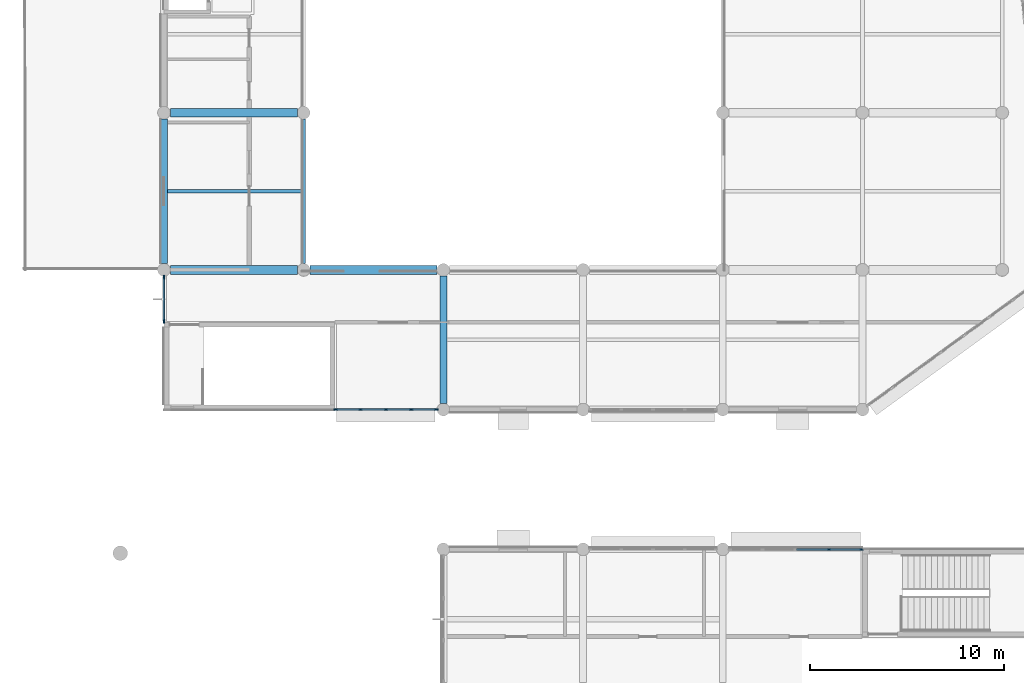
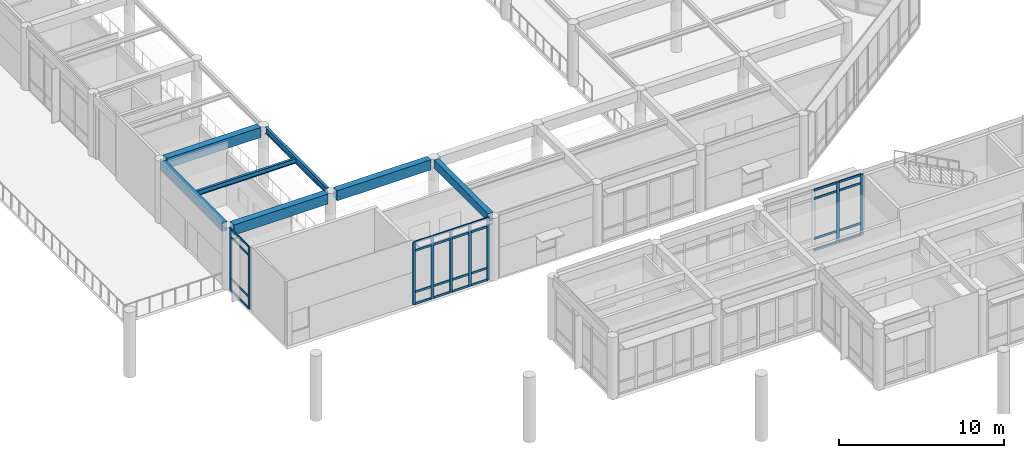
# One storey, part 6 of 92: 37 members, 7 beams, 3 elements without a shape of their own.
"""IFC4 building model written with IfcOpenShell, lengths in metres."""

from ifc_helpers import new_model, si_unit, direction, frame, origin, origin_2d, place, context, subcontext, project, spatial, rectangle, i_section, extrude, material, layer, layer_set, material_profile, profile_set, type_object, element, aggregate, save


model = new_model("IFC4")

# Units and contexts
model_context = context("Model", 3, precision=1e-05, world=origin(), true_north=direction((0.0, 1.0)))
body_context = subcontext(model_context, "Body", "Model", "MODEL_VIEW")
ifc_project = project(units=[si_unit("LENGTHUNIT", "METRE"), si_unit("AREAUNIT", "SQUARE_METRE"), si_unit("VOLUMEUNIT", "CUBIC_METRE"), si_unit("PLANEANGLEUNIT", "RADIAN"), si_unit("MASSUNIT", "GRAM", prefix="KILO")], contexts=[model_context])

# Site, building, storey
site_placement = place(None, origin())
site = spatial("IfcSite", under=ifc_project, at=site_placement, CompositionType="ELEMENT")
building_placement = place(site_placement, origin())
building = spatial("IfcBuilding", under=site, at=building_placement, Name="Namkhue Oval Health Centre", CompositionType="ELEMENT")
storey_placement = place(building_placement, frame((0.0, 0.0, 4.800048828125)))
storey = spatial("IfcBuildingStorey", under=building, at=storey_placement, Name="L01", CompositionType="ELEMENT", Elevation=4.800048828125)

# Curtain wall, members
ifc_material_1 = material(Name="Anodised aluminium EN AW-6063 T6", Category="aluminium")
ifc_layer_1 = layer(ifc_material_1, 0.159912109375)
ifc_layer_set_1 = layer_set([ifc_layer_1], Name="Anodised aluminium EN AW-6063 T6")
curtain_wall_type_1 = type_object("IfcCurtainWallType", Name="UNITISED CURTAIN WALL M1350", PredefinedType="NOTDEFINED", material=ifc_layer_set_1)
curtain_wall_1_placement = place(storey_placement, origin())
curtain_wall_1 = element("IfcCurtainWall", 1, at=curtain_wall_1_placement, inside=storey, type_object=curtain_wall_type_1, Name="Volume V1 L01 Unitised Curtain Wall 20", PredefinedType="NOTDEFINED")
ifc_material_profile_1 = material_profile(ifc_material_1, rectangle(XDim=0.074951171875, YDim=0.199951171875, at=origin_2d()), Name="ALU 75x200")
ifc_profile_set_1 = profile_set([ifc_material_profile_1], Name="Anodised aluminium EN AW-6063 T6")
member_type_1 = type_object("IfcMemberType", Name="CURTAIN WALL MULLION 75X200", PredefinedType="MULLION", material=ifc_profile_set_1)
member_1_placement = place(storey_placement, frame((30.45458984375, 36.0, 0.0), z_axis=(0.0, 0.0, 1.0), x_axis=(0.0, 1.0, 0.0)))
member_1 = element("IfcMember", 2, at=member_1_placement, type_object=member_type_1, Name="CW-02 mullion 1", PredefinedType="MULLION", context=body_context, shape_type="SweptSolid", body=[
    extrude(rectangle(XDim=0.074951171875, YDim=0.199951171875, at=origin_2d()), origin(), (0.0, 0.0, 1.0), 4.599853515625),
])
member_2_placement = place(storey_placement, frame((31.72900390625, 36.0, 0.0), z_axis=(0.0, 0.0, 1.0), x_axis=(0.0, 1.0, 0.0)))
member_2 = element("IfcMember", 3, at=member_2_placement, type_object=member_type_1, Name="CW-02 mullion 2", PredefinedType="MULLION", context=body_context, shape_type="SweptSolid", body=[
    extrude(rectangle(XDim=0.074951171875, YDim=0.199951171875, at=origin_2d()), origin(), (0.0, 0.0, 1.0), 4.599853515625),
])
member_3_placement = place(storey_placement, frame((33.041015625, 36.0, 0.0), z_axis=(0.0, 0.0, 1.0), x_axis=(0.0, 1.0, 0.0)))
member_3 = element("IfcMember", 4, at=member_3_placement, type_object=member_type_1, Name="CW-02 mullion 3", PredefinedType="MULLION", context=body_context, shape_type="SweptSolid", body=[
    extrude(rectangle(XDim=0.074951171875, YDim=0.199951171875, at=origin_2d()), origin(), (0.0, 0.0, 1.0), 4.599853515625),
])
member_4_placement = place(storey_placement, frame((34.35302734375, 36.0, 0.0), z_axis=(0.0, 0.0, 1.0), x_axis=(0.0, 1.0, 0.0)))
member_4 = element("IfcMember", 5, at=member_4_placement, type_object=member_type_1, Name="CW-02 mullion 4", PredefinedType="MULLION", context=body_context, shape_type="SweptSolid", body=[
    extrude(rectangle(XDim=0.074951171875, YDim=0.199951171875, at=origin_2d()), origin(), (0.0, 0.0, 1.0), 4.599853515625),
])
member_5_placement = place(storey_placement, frame((35.62744140625, 36.0, 0.0), z_axis=(0.0, 0.0, 1.0), x_axis=(0.0, 1.0, 0.0)))
member_5 = element("IfcMember", 6, at=member_5_placement, type_object=member_type_1, Name="CW-02 mullion 5", PredefinedType="MULLION", context=body_context, shape_type="SweptSolid", body=[
    extrude(rectangle(XDim=0.074951171875, YDim=0.199951171875, at=origin_2d()), origin(), (0.0, 0.0, 1.0), 4.599853515625),
])

ifc_layer_2 = layer(ifc_material_1, 0.159912109375)
ifc_layer_set_2 = layer_set([ifc_layer_2], Name="Anodised aluminium EN AW-6063 T6")
curtain_wall_type_2 = type_object("IfcCurtainWallType", Name="UNITISED CURTAIN WALL M2000", PredefinedType="NOTDEFINED", material=ifc_layer_set_2)
curtain_wall_2_placement = place(storey_placement, origin())
curtain_wall_2 = element("IfcCurtainWall", 7, at=curtain_wall_2_placement, inside=storey, type_object=curtain_wall_type_2, Name="Volume V1 L01 Unitised Curtain Wall 36", PredefinedType="NOTDEFINED")
member_6_placement = place(storey_placement, frame((21.60009765625, 42.827392578125, 0.0), z_axis=(0.0, 0.0, 1.0), x_axis=(1.0, 0.0, 0.0)))
member_6 = element("IfcMember", 8, at=member_6_placement, type_object=member_type_1, Name="CW-06 mullion 1", PredefinedType="MULLION", context=body_context, shape_type="SweptSolid", body=[
    extrude(rectangle(XDim=0.074951171875, YDim=0.199951171875, at=origin_2d()), origin(), (0.0, 0.0, 1.0), 4.599853515625),
])
member_7_placement = place(storey_placement, frame((21.60009765625, 40.554443359375, 0.0), z_axis=(0.0, 0.0, 1.0), x_axis=(1.0, 0.0, 0.0)))
member_7 = element("IfcMember", 9, at=member_7_placement, type_object=member_type_1, Name="CW-06 mullion 2", PredefinedType="MULLION", context=body_context, shape_type="SweptSolid", body=[
    extrude(rectangle(XDim=0.074951171875, YDim=0.199951171875, at=origin_2d()), origin(), (0.0, 0.0, 1.0), 4.599853515625),
])

ifc_layer_3 = layer(ifc_material_1, 0.159912109375)
ifc_layer_set_3 = layer_set([ifc_layer_3], Name="Anodised aluminium EN AW-6063 T6")
curtain_wall_type_3 = type_object("IfcCurtainWallType", Name="UNITISED CURTAIN WALL M1600", PredefinedType="NOTDEFINED", material=ifc_layer_set_3)
curtain_wall_3_placement = place(storey_placement, origin())
curtain_wall_3 = element("IfcCurtainWall", 10, at=curtain_wall_3_placement, inside=storey, type_object=curtain_wall_type_3, Name="Volume V4 L01 Unitised Curtain Wall 154", PredefinedType="NOTDEFINED")
member_8_placement = place(storey_placement, frame((57.54541015625, 28.800048828125, 0.0), z_axis=(0.0, 0.0, 1.0), x_axis=(0.0, -1.0, 0.0)))
member_8 = element("IfcMember", 11, at=member_8_placement, type_object=member_type_1, Name="CW-04 mullion 1", PredefinedType="MULLION", context=body_context, shape_type="SweptSolid", body=[
    extrude(rectangle(XDim=0.074951171875, YDim=0.199951171875, at=origin_2d()), origin(), (0.0, 0.0, 1.0), 4.5048828125),
])
member_9_placement = place(storey_placement, frame((55.87109375, 28.800048828125, 0.0), z_axis=(0.0, 0.0, 1.0), x_axis=(0.0, -1.0, 0.0)))
member_9 = element("IfcMember", 12, at=member_9_placement, type_object=member_type_1, Name="CW-04 mullion 2", PredefinedType="MULLION", context=body_context, shape_type="SweptSolid", body=[
    extrude(rectangle(XDim=0.074951171875, YDim=0.199951171875, at=origin_2d()), origin(), (0.0, 0.0, 1.0), 4.5048828125),
])

# Member
ifc_material_profile_2 = material_profile(ifc_material_1, rectangle(XDim=0.074951171875, YDim=0.14990234375, at=origin_2d()), Name="ALU 75x150")
ifc_profile_set_2 = profile_set([ifc_material_profile_2], Name="Anodised aluminium EN AW-6063 T6")
member_type_2 = type_object("IfcMemberType", Name="CURTAIN WALL TRANSOM 75X150", PredefinedType="USERDEFINED", material=ifc_profile_set_2)
member_10_placement = place(storey_placement, frame((30.491943359375, 36.0, 0.037353515625), z_axis=(1.0, 0.0, 0.0), x_axis=(0.0, 1.0, 0.0)))
member_10 = element("IfcMember", 13, at=member_10_placement, type_object=member_type_2, Name="CW-02 transom 1.1", ObjectType="TRANSOM", PredefinedType="USERDEFINED", context=body_context, shape_type="SweptSolid", body=[
    extrude(rectangle(XDim=0.074951171875, YDim=0.14990234375, at=origin_2d()), origin(), (0.0, 0.0, 1.0), 1.199462890625),
])

member_11_placement = place(storey_placement, frame((30.491943359375, 36.0, 0.89990234375), z_axis=(1.0, 0.0, 0.0), x_axis=(0.0, 1.0, 0.0)))
member_11 = element("IfcMember", 14, at=member_11_placement, type_object=member_type_2, Name="CW-02 transom 1.2", ObjectType="TRANSOM", PredefinedType="USERDEFINED", context=body_context, shape_type="SweptSolid", body=[
    extrude(rectangle(XDim=0.074951171875, YDim=0.14990234375, at=origin_2d()), origin(), (0.0, 0.0, 1.0), 1.199462890625),
])

member_12_placement = place(storey_placement, frame((30.491943359375, 36.0, 3.949951171875), z_axis=(1.0, 0.0, 0.0), x_axis=(0.0, 1.0, 0.0)))
member_12 = element("IfcMember", 15, at=member_12_placement, type_object=member_type_2, Name="CW-02 transom 1.3", ObjectType="TRANSOM", PredefinedType="USERDEFINED", context=body_context, shape_type="SweptSolid", body=[
    extrude(rectangle(XDim=0.074951171875, YDim=0.14990234375, at=origin_2d()), origin(), (0.0, 0.0, 1.0), 1.199462890625),
])

member_13_placement = place(storey_placement, frame((30.491943359375, 36.0, 4.5625), z_axis=(1.0, 0.0, 0.0), x_axis=(0.0, 1.0, 0.0)))
member_13 = element("IfcMember", 16, at=member_13_placement, type_object=member_type_2, Name="CW-02 transom 1.4", ObjectType="TRANSOM", PredefinedType="USERDEFINED", context=body_context, shape_type="SweptSolid", body=[
    extrude(rectangle(XDim=0.074951171875, YDim=0.14990234375, at=origin_2d()), origin(), (0.0, 0.0, 1.0), 1.199462890625),
])

member_14_placement = place(storey_placement, frame((31.7666015625, 36.0, 0.037353515625), z_axis=(1.0, 0.0, 0.0), x_axis=(0.0, 1.0, 0.0)))
member_14 = element("IfcMember", 17, at=member_14_placement, type_object=member_type_2, Name="CW-02 transom 2.1", ObjectType="TRANSOM", PredefinedType="USERDEFINED", context=body_context, shape_type="SweptSolid", body=[
    extrude(rectangle(XDim=0.074951171875, YDim=0.14990234375, at=origin_2d()), origin(), (0.0, 0.0, 1.0), 1.23681640625),
])

member_15_placement = place(storey_placement, frame((31.7666015625, 36.0, 0.89990234375), z_axis=(1.0, 0.0, 0.0), x_axis=(0.0, 1.0, 0.0)))
member_15 = element("IfcMember", 18, at=member_15_placement, type_object=member_type_2, Name="CW-02 transom 2.2", ObjectType="TRANSOM", PredefinedType="USERDEFINED", context=body_context, shape_type="SweptSolid", body=[
    extrude(rectangle(XDim=0.074951171875, YDim=0.14990234375, at=origin_2d()), origin(), (0.0, 0.0, 1.0), 1.23681640625),
])

member_16_placement = place(storey_placement, frame((31.7666015625, 36.0, 3.949951171875), z_axis=(1.0, 0.0, 0.0), x_axis=(0.0, 1.0, 0.0)))
member_16 = element("IfcMember", 19, at=member_16_placement, type_object=member_type_2, Name="CW-02 transom 2.3", ObjectType="TRANSOM", PredefinedType="USERDEFINED", context=body_context, shape_type="SweptSolid", body=[
    extrude(rectangle(XDim=0.074951171875, YDim=0.14990234375, at=origin_2d()), origin(), (0.0, 0.0, 1.0), 1.23681640625),
])

member_17_placement = place(storey_placement, frame((31.7666015625, 36.0, 4.5625), z_axis=(1.0, 0.0, 0.0), x_axis=(0.0, 1.0, 0.0)))
member_17 = element("IfcMember", 20, at=member_17_placement, type_object=member_type_2, Name="CW-02 transom 2.4", ObjectType="TRANSOM", PredefinedType="USERDEFINED", context=body_context, shape_type="SweptSolid", body=[
    extrude(rectangle(XDim=0.074951171875, YDim=0.14990234375, at=origin_2d()), origin(), (0.0, 0.0, 1.0), 1.23681640625),
])

member_18_placement = place(storey_placement, frame((33.07861328125, 36.0, 0.037353515625), z_axis=(1.0, 0.0, 0.0), x_axis=(0.0, 1.0, 0.0)))
member_18 = element("IfcMember", 21, at=member_18_placement, type_object=member_type_2, Name="CW-02 transom 3.1", ObjectType="TRANSOM", PredefinedType="USERDEFINED", context=body_context, shape_type="SweptSolid", body=[
    extrude(rectangle(XDim=0.074951171875, YDim=0.14990234375, at=origin_2d()), origin(), (0.0, 0.0, 1.0), 1.23681640625),
])

member_19_placement = place(storey_placement, frame((33.07861328125, 36.0, 0.89990234375), z_axis=(1.0, 0.0, 0.0), x_axis=(0.0, 1.0, 0.0)))
member_19 = element("IfcMember", 22, at=member_19_placement, type_object=member_type_2, Name="CW-02 transom 3.2", ObjectType="TRANSOM", PredefinedType="USERDEFINED", context=body_context, shape_type="SweptSolid", body=[
    extrude(rectangle(XDim=0.074951171875, YDim=0.14990234375, at=origin_2d()), origin(), (0.0, 0.0, 1.0), 1.23681640625),
])

member_20_placement = place(storey_placement, frame((33.07861328125, 36.0, 3.949951171875), z_axis=(1.0, 0.0, 0.0), x_axis=(0.0, 1.0, 0.0)))
member_20 = element("IfcMember", 23, at=member_20_placement, type_object=member_type_2, Name="CW-02 transom 3.3", ObjectType="TRANSOM", PredefinedType="USERDEFINED", context=body_context, shape_type="SweptSolid", body=[
    extrude(rectangle(XDim=0.074951171875, YDim=0.14990234375, at=origin_2d()), origin(), (0.0, 0.0, 1.0), 1.23681640625),
])

member_21_placement = place(storey_placement, frame((33.07861328125, 36.0, 4.5625), z_axis=(1.0, 0.0, 0.0), x_axis=(0.0, 1.0, 0.0)))
member_21 = element("IfcMember", 24, at=member_21_placement, type_object=member_type_2, Name="CW-02 transom 3.4", ObjectType="TRANSOM", PredefinedType="USERDEFINED", context=body_context, shape_type="SweptSolid", body=[
    extrude(rectangle(XDim=0.074951171875, YDim=0.14990234375, at=origin_2d()), origin(), (0.0, 0.0, 1.0), 1.23681640625),
])

member_22_placement = place(storey_placement, frame((34.390380859375, 36.0, 0.037353515625), z_axis=(1.0, 0.0, 0.0), x_axis=(0.0, 1.0, 0.0)))
member_22 = element("IfcMember", 25, at=member_22_placement, type_object=member_type_2, Name="CW-02 transom 4.1", ObjectType="TRANSOM", PredefinedType="USERDEFINED", context=body_context, shape_type="SweptSolid", body=[
    extrude(rectangle(XDim=0.074951171875, YDim=0.14990234375, at=origin_2d()), origin(), (0.0, 0.0, 1.0), 1.19970703125),
])

member_23_placement = place(storey_placement, frame((34.390380859375, 36.0, 0.89990234375), z_axis=(1.0, 0.0, 0.0), x_axis=(0.0, 1.0, 0.0)))
member_23 = element("IfcMember", 26, at=member_23_placement, type_object=member_type_2, Name="CW-02 transom 4.2", ObjectType="TRANSOM", PredefinedType="USERDEFINED", context=body_context, shape_type="SweptSolid", body=[
    extrude(rectangle(XDim=0.074951171875, YDim=0.14990234375, at=origin_2d()), origin(), (0.0, 0.0, 1.0), 1.19970703125),
])

member_24_placement = place(storey_placement, frame((34.390380859375, 36.0, 3.949951171875), z_axis=(1.0, 0.0, 0.0), x_axis=(0.0, 1.0, 0.0)))
member_24 = element("IfcMember", 27, at=member_24_placement, type_object=member_type_2, Name="CW-02 transom 4.3", ObjectType="TRANSOM", PredefinedType="USERDEFINED", context=body_context, shape_type="SweptSolid", body=[
    extrude(rectangle(XDim=0.074951171875, YDim=0.14990234375, at=origin_2d()), origin(), (0.0, 0.0, 1.0), 1.19970703125),
])

member_25_placement = place(storey_placement, frame((34.390380859375, 36.0, 4.5625), z_axis=(1.0, 0.0, 0.0), x_axis=(0.0, 1.0, 0.0)))
member_25 = element("IfcMember", 28, at=member_25_placement, type_object=member_type_2, Name="CW-02 transom 4.4", ObjectType="TRANSOM", PredefinedType="USERDEFINED", context=body_context, shape_type="SweptSolid", body=[
    extrude(rectangle(XDim=0.074951171875, YDim=0.14990234375, at=origin_2d()), origin(), (0.0, 0.0, 1.0), 1.19970703125),
])

aggregate(curtain_wall_1, [member_1, member_2, member_3, member_4, member_5, member_10, member_11, member_12, member_13, member_14, member_15, member_16, member_17, member_18, member_19, member_20, member_21, member_22, member_23, member_24, member_25])

member_26_placement = place(storey_placement, frame((21.60009765625, 42.7900390625, 0.037353515625), z_axis=(0.0, -1.0, 0.0), x_axis=(1.0, 0.0, 0.0)))
member_26 = element("IfcMember", 29, at=member_26_placement, type_object=member_type_2, Name="CW-06 transom 1.1", ObjectType="TRANSOM", PredefinedType="USERDEFINED", context=body_context, shape_type="SweptSolid", body=[
    extrude(rectangle(XDim=0.074951171875, YDim=0.14990234375, at=origin_2d()), origin(), (0.0, 0.0, 1.0), 2.197998046875),
])

member_27_placement = place(storey_placement, frame((21.60009765625, 42.7900390625, 0.89990234375), z_axis=(0.0, -1.0, 0.0), x_axis=(1.0, 0.0, 0.0)))
member_27 = element("IfcMember", 30, at=member_27_placement, type_object=member_type_2, Name="CW-06 transom 1.2", ObjectType="TRANSOM", PredefinedType="USERDEFINED", context=body_context, shape_type="SweptSolid", body=[
    extrude(rectangle(XDim=0.074951171875, YDim=0.14990234375, at=origin_2d()), origin(), (0.0, 0.0, 1.0), 2.197998046875),
])

member_28_placement = place(storey_placement, frame((21.60009765625, 42.7900390625, 3.949951171875), z_axis=(0.0, -1.0, 0.0), x_axis=(1.0, 0.0, 0.0)))
member_28 = element("IfcMember", 31, at=member_28_placement, type_object=member_type_2, Name="CW-06 transom 1.3", ObjectType="TRANSOM", PredefinedType="USERDEFINED", context=body_context, shape_type="SweptSolid", body=[
    extrude(rectangle(XDim=0.074951171875, YDim=0.14990234375, at=origin_2d()), origin(), (0.0, 0.0, 1.0), 2.197998046875),
])

member_29_placement = place(storey_placement, frame((21.60009765625, 42.7900390625, 4.5625), z_axis=(0.0, -1.0, 0.0), x_axis=(1.0, 0.0, 0.0)))
member_29 = element("IfcMember", 32, at=member_29_placement, type_object=member_type_2, Name="CW-06 transom 1.4", ObjectType="TRANSOM", PredefinedType="USERDEFINED", context=body_context, shape_type="SweptSolid", body=[
    extrude(rectangle(XDim=0.074951171875, YDim=0.14990234375, at=origin_2d()), origin(), (0.0, 0.0, 1.0), 2.197998046875),
])

aggregate(curtain_wall_2, [member_6, member_7, member_26, member_27, member_28, member_29])

member_30_placement = place(storey_placement, frame((57.508056640625, 28.800048828125, 0.037353515625), z_axis=(-1.0, 0.0, 0.0), x_axis=(0.0, -1.0, 0.0)))
member_30 = element("IfcMember", 33, at=member_30_placement, type_object=member_type_2, Name="CW-04 transom 1.1", ObjectType="TRANSOM", PredefinedType="USERDEFINED", context=body_context, shape_type="SweptSolid", body=[
    extrude(rectangle(XDim=0.074951171875, YDim=0.14990234375, at=origin_2d()), origin(), (0.0, 0.0, 1.0), 1.599609375),
])

member_31_placement = place(storey_placement, frame((57.508056640625, 28.800048828125, 0.89990234375), z_axis=(-1.0, 0.0, 0.0), x_axis=(0.0, -1.0, 0.0)))
member_31 = element("IfcMember", 34, at=member_31_placement, type_object=member_type_2, Name="CW-04 transom 1.2", ObjectType="TRANSOM", PredefinedType="USERDEFINED", context=body_context, shape_type="SweptSolid", body=[
    extrude(rectangle(XDim=0.074951171875, YDim=0.14990234375, at=origin_2d()), origin(), (0.0, 0.0, 1.0), 1.599609375),
])

member_32_placement = place(storey_placement, frame((57.508056640625, 28.800048828125, 3.85498046875), z_axis=(-1.0, 0.0, 0.0), x_axis=(0.0, -1.0, 0.0)))
member_32 = element("IfcMember", 35, at=member_32_placement, type_object=member_type_2, Name="CW-04 transom 1.3", ObjectType="TRANSOM", PredefinedType="USERDEFINED", context=body_context, shape_type="SweptSolid", body=[
    extrude(rectangle(XDim=0.074951171875, YDim=0.14990234375, at=origin_2d()), origin(), (0.0, 0.0, 1.0), 1.599609375),
])

member_33_placement = place(storey_placement, frame((57.508056640625, 28.800048828125, 4.467529296875), z_axis=(-1.0, 0.0, 0.0), x_axis=(0.0, -1.0, 0.0)))
member_33 = element("IfcMember", 36, at=member_33_placement, type_object=member_type_2, Name="CW-04 transom 1.4", ObjectType="TRANSOM", PredefinedType="USERDEFINED", context=body_context, shape_type="SweptSolid", body=[
    extrude(rectangle(XDim=0.074951171875, YDim=0.14990234375, at=origin_2d()), origin(), (0.0, 0.0, 1.0), 1.599609375),
])

member_34_placement = place(storey_placement, frame((55.83349609375, 28.800048828125, 0.037353515625), z_axis=(-1.0, 0.0, 0.0), x_axis=(0.0, -1.0, 0.0)))
member_34 = element("IfcMember", 37, at=member_34_placement, type_object=member_type_2, Name="CW-04 transom 2.1", ObjectType="TRANSOM", PredefinedType="USERDEFINED", context=body_context, shape_type="SweptSolid", body=[
    extrude(rectangle(XDim=0.074951171875, YDim=0.14990234375, at=origin_2d()), origin(), (0.0, 0.0, 1.0), 1.636962890625),
])

member_35_placement = place(storey_placement, frame((55.83349609375, 28.800048828125, 0.89990234375), z_axis=(-1.0, 0.0, 0.0), x_axis=(0.0, -1.0, 0.0)))
member_35 = element("IfcMember", 38, at=member_35_placement, type_object=member_type_2, Name="CW-04 transom 2.2", ObjectType="TRANSOM", PredefinedType="USERDEFINED", context=body_context, shape_type="SweptSolid", body=[
    extrude(rectangle(XDim=0.074951171875, YDim=0.14990234375, at=origin_2d()), origin(), (0.0, 0.0, 1.0), 1.636962890625),
])

member_36_placement = place(storey_placement, frame((55.83349609375, 28.800048828125, 3.85498046875), z_axis=(-1.0, 0.0, 0.0), x_axis=(0.0, -1.0, 0.0)))
member_36 = element("IfcMember", 39, at=member_36_placement, type_object=member_type_2, Name="CW-04 transom 2.3", ObjectType="TRANSOM", PredefinedType="USERDEFINED", context=body_context, shape_type="SweptSolid", body=[
    extrude(rectangle(XDim=0.074951171875, YDim=0.14990234375, at=origin_2d()), origin(), (0.0, 0.0, 1.0), 1.636962890625),
])

member_37_placement = place(storey_placement, frame((55.83349609375, 28.800048828125, 4.467529296875), z_axis=(-1.0, 0.0, 0.0), x_axis=(0.0, -1.0, 0.0)))
member_37 = element("IfcMember", 40, at=member_37_placement, type_object=member_type_2, Name="CW-04 transom 2.4", ObjectType="TRANSOM", PredefinedType="USERDEFINED", context=body_context, shape_type="SweptSolid", body=[
    extrude(rectangle(XDim=0.074951171875, YDim=0.14990234375, at=origin_2d()), origin(), (0.0, 0.0, 1.0), 1.636962890625),
])

aggregate(curtain_wall_3, [member_8, member_9, member_30, member_31, member_32, member_33, member_34, member_35, member_36, member_37])

# Beams
ifc_material_2 = material(Name="Reinforced concrete C30/37 (TCVN B35)", Category="concrete")
ifc_material_profile_3 = material_profile(ifc_material_2, rectangle(XDim=0.35009765625, YDim=0.60009765625, at=origin_2d()), Name="RC 350x600")
ifc_profile_set_3 = profile_set([ifc_material_profile_3], Name="Reinforced concrete C30/37 (TCVN B35)")
beam_type_1 = type_object("IfcBeamType", Name="FLOOR BEAM RC 350X600", PredefinedType="BEAM", material=ifc_profile_set_3)
beam_1_placement = place(storey_placement, frame((36.0, 36.324951171875, 4.300048828125), z_axis=(0.0, 1.0, 0.0), x_axis=(-1.0, 0.0, 0.0)))
element("IfcBeam", 41, at=beam_1_placement, inside=storey, type_object=beam_type_1, Name="Volume V1 L02 Beam 6/F-G", PredefinedType="BEAM", context=body_context, shape_type="SweptSolid", body=[
    extrude(rectangle(XDim=0.35009765625, YDim=0.60009765625, at=origin_2d()), origin(), (0.0, 0.0, 1.0), 6.550048828125),
])
ifc_material_3 = material(Name="Structural steel EN 10025-2 S355JR (TCVN 5575:2024)", Category="steel")
ifc_material_profile_4 = material_profile(ifc_material_3, i_section(OverallWidth=0.18994140625, OverallDepth=0.449951171875, WebThickness=0.009521484375, FlangeThickness=0.0146484375, FilletRadius=0.02099609375, at=origin_2d()), Name="IPE 450")
ifc_profile_set_4 = profile_set([ifc_material_profile_4], Name="Structural steel EN 10025-2 S355JR (TCVN 5575:2024)")
beam_type_2 = type_object("IfcBeamType", Name="FLOOR BEAM STEEL IPE 450", PredefinedType="BEAM", material=ifc_profile_set_4)
beam_2_placement = place(storey_placement, frame((28.800048828125, 43.52490234375, 4.375), z_axis=(0.0, 1.0, 0.0), x_axis=(-1.0, 0.0, 0.0)))
element("IfcBeam", 42, at=beam_2_placement, inside=storey, type_object=beam_type_2, Name="Volume V1 L02 Beam 5/G-H", PredefinedType="BEAM", context=body_context, shape_type="SweptSolid", body=[
    extrude(i_section(OverallWidth=0.18994140625, OverallDepth=0.449951171875, WebThickness=0.009521484375, FlangeThickness=0.0146484375, FilletRadius=0.02099609375, at=origin_2d()), origin(), (0.0, 0.0, 1.0), 7.4501953125),
])
ifc_material_4 = material(Name="Reinforced concrete C35/45 (TCVN B40)", Category="concrete")
ifc_material_profile_5 = material_profile(ifc_material_4, rectangle(XDim=0.35009765625, YDim=0.64990234375, at=origin_2d()), Name="RC 350x650")
ifc_profile_set_5 = profile_set([ifc_material_profile_5], Name="Reinforced concrete C35/45 (TCVN B40)")
beam_type_3 = type_object("IfcBeamType", Name="PERIMETER SPANDREL BEAM 350X650", PredefinedType="SPANDREL", material=ifc_profile_set_5)
beam_3_placement = place(storey_placement, frame((21.60009765625, 43.52490234375, 4.27490234375), z_axis=(0.0, 1.0, 0.0), x_axis=(-1.0, 0.0, 0.0)))
element("IfcBeam", 43, at=beam_3_placement, inside=storey, type_object=beam_type_3, Name="Volume V1 L02 Beam 4/G-H", PredefinedType="SPANDREL", context=body_context, shape_type="SweptSolid", body=[
    extrude(rectangle(XDim=0.35009765625, YDim=0.64990234375, at=origin_2d()), origin(), (0.0, 0.0, 1.0), 7.4501953125),
])
ifc_material_profile_6 = material_profile(ifc_material_4, rectangle(XDim=0.449951171875, YDim=0.75, at=origin_2d()), Name="RC 450x750")
ifc_profile_set_6 = profile_set([ifc_material_profile_6], Name="Reinforced concrete C35/45 (TCVN B40)")
beam_type_4 = type_object("IfcBeamType", Name="PRIMARY GIRDER RC 450X750", PredefinedType="USERDEFINED", material=ifc_profile_set_6)
for number, where, z_axis, x_axis, name in (
    (44, (21.925048828125, 43.199951171875, 4.224853515625), (1.0, 0.0, 0.0), (0.0, 1.0, 0.0), "Volume V1 L02 Girder G/4-5"),
    (45, (29.125, 43.199951171875, 4.224853515625), (1.0, 0.0, 0.0), (0.0, 1.0, 0.0), "Volume V1 L02 Girder G/5-6"),
    (46, (21.925048828125, 51.300048828125, 4.224853515625), (1.0, 0.0, 0.0), (0.0, 1.0, 0.0), "Volume V1 L02 Girder H/4-5"),
):
    element("IfcBeam", number, at=place(storey_placement, frame(where, z_axis=z_axis, x_axis=x_axis)), inside=storey, type_object=beam_type_4, Name=name, ObjectType="GIRDER", PredefinedType="USERDEFINED", context=body_context, shape_type="SweptSolid", body=[
        extrude(rectangle(XDim=0.449951171875, YDim=0.75, at=origin_2d()), origin(), (0.0, 0.0, 1.0), 6.550048828125),
    ])
ifc_material_profile_7 = material_profile(ifc_material_3, i_section(OverallWidth=0.169921875, OverallDepth=0.360107421875, WebThickness=0.008056640625, FlangeThickness=0.0126953125, FilletRadius=0.01806640625, at=origin_2d()), Name="IPE 360")
ifc_profile_set_7 = profile_set([ifc_material_profile_7], Name="Structural steel EN 10025-2 S355JR (TCVN 5575:2024)")
beam_type_5 = type_object("IfcBeamType", Name="SECONDARY JOIST STEEL IPE 360", PredefinedType="JOIST", material=ifc_profile_set_7)
beam_4_placement = place(storey_placement, frame((21.77490234375, 47.25, 4.419921875), z_axis=(1.0, 0.0, 0.0), x_axis=(0.0, 1.0, 0.0)))
element("IfcBeam", 47, at=beam_4_placement, inside=storey, type_object=beam_type_5, Name="Volume V1 L02 Secondary Joist 4-5", PredefinedType="JOIST", context=body_context, shape_type="SweptSolid", body=[
    extrude(i_section(OverallWidth=0.169921875, OverallDepth=0.360107421875, WebThickness=0.008056640625, FlangeThickness=0.0126953125, FilletRadius=0.01806640625, at=origin_2d()), origin(), (0.0, 0.0, 1.0), 6.93017578125),
])

save(model, "model.ifc")
